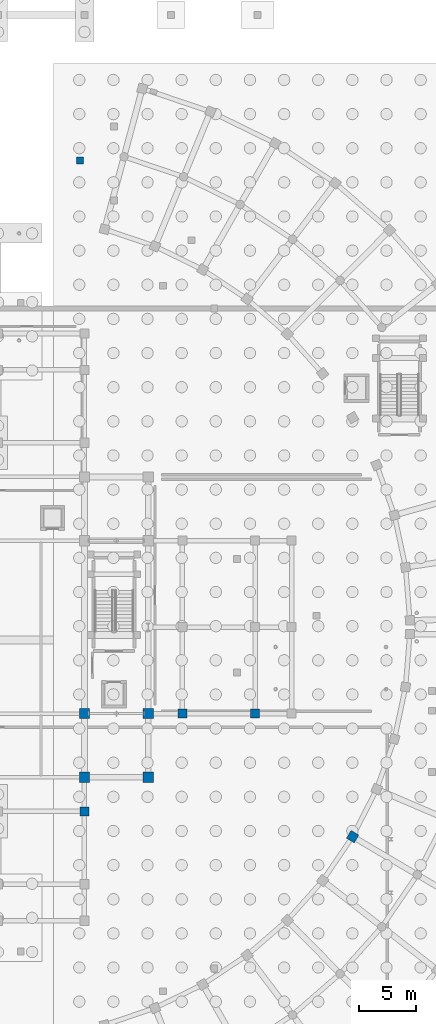
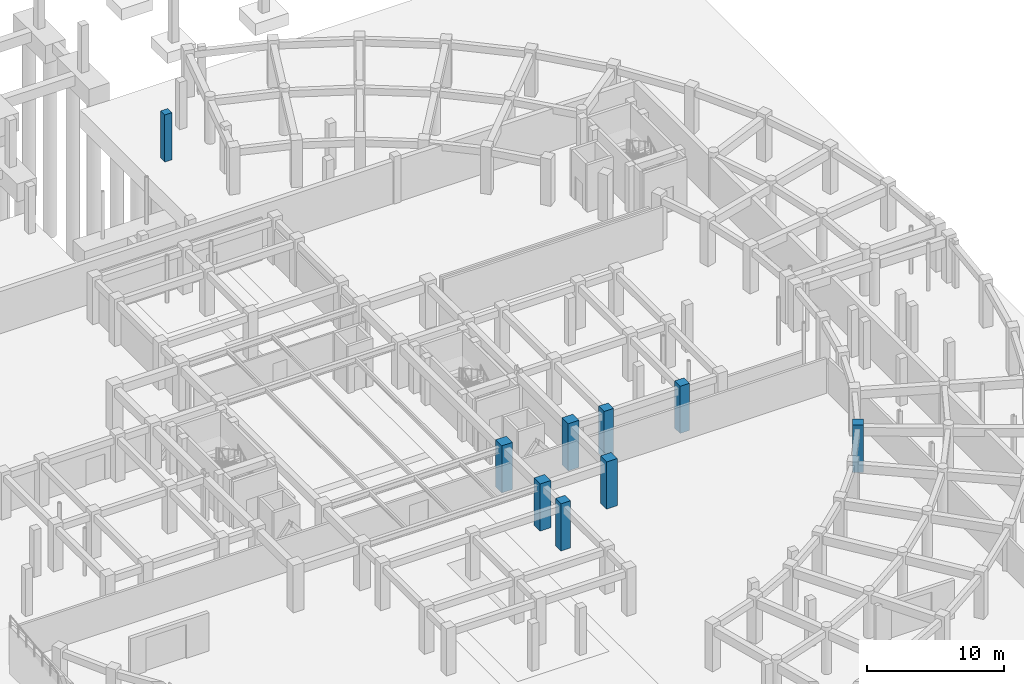
# One storey, part 13 of 33: 9 columns.
"""IFC4 building model written with IfcOpenShell, lengths in metres."""

import ifcopenshell
import ifcopenshell.guid

model = None  # the IFC model being written
_history = None  # IfcOwnerHistory: only IFC2X3 demands one
_inside = {}  # id of a spatial element -> (the spatial element, [elements in it])
_under = {}  # id of a project, library or spatial element -> (it, [spatial elements below it])
_declared = {}  # id of a project -> (the project, [libraries it declares])
_typed = {}  # id of a type object -> (the type object, [elements of that type])
_made_of = {}  # id of a material, layer set ... -> (it, [elements and type objects made of it])


def new_model(schema):
    """Start an empty IFC model of exactly this schema.

    Asked for "IFC4X3", IfcOpenShell would pick the latest addendum, in which some entities
    have other attributes; the version numbers below select the first issue.
    IFC2X3 requires an IfcOwnerHistory on every rooted entity: one is made here for all.
    """
    global model, _history
    if schema == "IFC4X3":
        model = ifcopenshell.file(schema_version=(4, 3, 0, 0))
    else:
        model = ifcopenshell.file(schema=schema)
    _inside.clear()
    _under.clear()
    _declared.clear()
    _typed.clear()
    _made_of.clear()
    _history = None
    if model.schema == "IFC2X3":
        org = make("IfcOrganization", Name="unknown")
        user = make(
            "IfcPersonAndOrganization",
            ThePerson=make("IfcPerson", FamilyName="unknown"),
            TheOrganization=org,
        )
        app = make(
            "IfcApplication",
            ApplicationDeveloper=org,
            Version="unknown",
            ApplicationFullName="unknown",
            ApplicationIdentifier="unknown",
        )
        _history = make(
            "IfcOwnerHistory",
            OwningUser=user,
            OwningApplication=app,
            ChangeAction="ADDED",
            CreationDate=0,
        )
    return model


def make(cls, **values):
    """One entity of the class cls with the attributes given. An attribute that is None is left unset."""
    return model.create_entity(
        cls, **{name: value for name, value in values.items() if value is not None}
    )


def rooted(cls, **values):
    """An entity with a GlobalId (a new one), such as an element, a storey or a relation."""
    return make(cls, GlobalId=ifcopenshell.guid.new(), OwnerHistory=_history, **values)


def si_unit(unit_type, name, prefix=None):
    """IfcSIUnit, for example si_unit("LENGTHUNIT", "METRE", prefix="MILLI")."""
    return make("IfcSIUnit", UnitType=unit_type, Prefix=prefix, Name=name)


def assignment(units):
    """IfcUnitAssignment: the units of a project."""
    return None if units is None else make("IfcUnitAssignment", Units=units)


def point(xyz):
    """IfcCartesianPoint."""
    return None if xyz is None else make("IfcCartesianPoint", Coordinates=xyz)


def direction(xyz):
    """IfcDirection."""
    return None if xyz is None else make("IfcDirection", DirectionRatios=xyz)


def frame(location, z_axis=None, x_axis=None):
    """IfcAxis2Placement3D, a coordinate frame: its origin and axes. An axis left out is left unset."""
    return make(
        "IfcAxis2Placement3D",
        Location=point(location),
        Axis=direction(z_axis),
        RefDirection=direction(x_axis),
    )


def frame_2d(location, x_axis=None):
    """IfcAxis2Placement2D, a coordinate frame in the plane: its origin and x axis."""
    return make(
        "IfcAxis2Placement2D", Location=point(location), RefDirection=direction(x_axis)
    )


def origin():
    """The frame at (0, 0, 0) with its axes left unset."""
    return frame((0.0, 0.0, 0.0))


def origin_2d():
    """The frame at (0, 0) in the plane with its x axis left unset."""
    return frame_2d((0.0, 0.0))


def place(relative_to, where):
    """IfcLocalPlacement: puts the frame where relative to a parent placement (None: the world)."""
    return make(
        "IfcLocalPlacement", PlacementRelTo=relative_to, RelativePlacement=where
    )


def context(
    kind, dimensions, precision=None, world=None, true_north=None, identifier=None
):
    """IfcGeometricRepresentationContext, for example the 3D "Model" context."""
    return make(
        "IfcGeometricRepresentationContext",
        ContextIdentifier=identifier,
        ContextType=kind,
        CoordinateSpaceDimension=dimensions,
        Precision=precision,
        WorldCoordinateSystem=world,
        TrueNorth=true_north,
    )


def subcontext(parent, identifier, kind, view, scale=None):
    """IfcGeometricRepresentationSubContext, for example "Body" below "Model"."""
    return make(
        "IfcGeometricRepresentationSubContext",
        ContextIdentifier=identifier,
        ContextType=kind,
        ParentContext=parent,
        TargetScale=scale,
        TargetView=view,
    )


def project(units=None, contexts=None):
    """IfcProject with its units and contexts."""
    return rooted(
        "IfcProject",
        Name="project",
        RepresentationContexts=contexts,
        UnitsInContext=assignment(units),
    )


def spatial(cls, under=None, at=None, **own):
    """A site, building, storey or space (cls), placed at a placement, below another one or the project."""
    s = rooted(cls, ObjectPlacement=at, **own)
    if under is not None:
        _under.setdefault(under.id(), (under, []))[1].append(s)
    return s


def profile(cls, at=None, kind="AREA", **sizes):
    """A parametric profile (cls). Its sizes go by their IFC names, for example OverallWidth=200.0."""
    return make(cls, ProfileType=kind, Position=at, **sizes)


def rectangle(**sizes):
    """IfcRectangleProfileDef."""
    return profile("IfcRectangleProfileDef", **sizes)


def extrude(swept, where, along, depth):
    """IfcExtrudedAreaSolid: the profile swept, set in the frame where, extruded along a direction by depth."""
    return make(
        "IfcExtrudedAreaSolid",
        SweptArea=swept,
        Position=where,
        ExtrudedDirection=direction(along),
        Depth=depth,
    )


def shape(context_of_items, identifier, shape_type, items):
    """IfcShapeRepresentation: the items that make up one representation, for example the "Body"."""
    return make(
        "IfcShapeRepresentation",
        ContextOfItems=context_of_items,
        RepresentationIdentifier=identifier,
        RepresentationType=shape_type,
        Items=items,
    )


def material(Name=None, Category=None):
    """IfcMaterial."""
    return make("IfcMaterial", Name=Name, Category=Category)


def material_profile(
    of_material, cross_section, Name=None, Category=None, Priority=None
):
    """IfcMaterialProfile: a cross section and its material."""
    return make(
        "IfcMaterialProfile",
        Name=Name,
        Material=of_material,
        Profile=cross_section,
        Priority=Priority,
        Category=Category,
    )


def profile_set(profiles, Name=None, composite=None):
    """IfcMaterialProfileSet."""
    return make(
        "IfcMaterialProfileSet",
        Name=Name,
        MaterialProfiles=profiles,
        CompositeProfile=composite,
    )


def made_of(thing, what):
    """Note that an element or type object is made of a material, layer set ...; save() writes the relation."""
    if what is not None:
        _made_of.setdefault(what.id(), (what, []))[1].append(thing)
    return thing


def type_object(cls, material=None, **own):
    """A type object (cls), such as IfcWallType, which elements share."""
    return made_of(rooted(cls, **own), material)


def element(
    cls,
    number,
    at=None,
    inside=None,
    cuts=None,
    type_object=None,
    material=None,
    context=None,
    identifier="Body",
    shape_type=None,
    held_by="IfcProductDefinitionShape",
    body=None,
    shapes=None,
    **own,
):
    """One element of the class cls, such as IfcWall. Its Tag is "e" and its number.

    at: its placement. inside: the storey or other place that contains it. cuts: it is an
    opening in that element (IfcRelVoidsElement). A single representation is given by context,
    identifier, shape_type and body (its items); several are given by shapes. held_by: the class
    of the entity that holds the representations. save() writes the other relations.
    """
    e = rooted(cls, Tag="e%d" % number, ObjectPlacement=at, **own)
    if body is not None:
        shapes = [shape(context, identifier, shape_type, body)]
    if shapes is not None:
        e.Representation = make(held_by, Representations=shapes)
    if inside is not None:
        _inside.setdefault(inside.id(), (inside, []))[1].append(e)
    if cuts is not None:
        rooted(
            "IfcRelVoidsElement", RelatingBuildingElement=cuts, RelatedOpeningElement=e
        )
    if type_object is not None:
        _typed.setdefault(type_object.id(), (type_object, []))[1].append(e)
    return made_of(e, material)


def aggregate(whole, parts):
    """IfcRelAggregates: a whole, such as a stair, and the parts it consists of."""
    return rooted("IfcRelAggregates", RelatingObject=whole, RelatedObjects=parts)


def save(model, path):
    """Write the relations noted so far, then the file.

    IfcRelAggregates (storeys below a building ...), IfcRelContainedInSpatialStructure (elements
    in a storey), IfcRelDefinesByType, IfcRelAssociatesMaterial and IfcRelDeclares: one each for
    every whole, place, type object, material and project.
    """
    for whole, parts in _under.values():
        aggregate(whole, parts)
    for where, things in _inside.values():
        rooted(
            "IfcRelContainedInSpatialStructure",
            RelatedElements=things,
            RelatingStructure=where,
        )
    for kind, things in _typed.values():
        rooted("IfcRelDefinesByType", RelatedObjects=things, RelatingType=kind)
    for what, things in _made_of.values():
        rooted("IfcRelAssociatesMaterial", RelatedObjects=things, RelatingMaterial=what)
    for by, libraries in _declared.values():
        rooted("IfcRelDeclares", RelatingContext=by, RelatedDefinitions=libraries)
    model.write(path)


model = new_model("IFC4")

# Units and contexts
model_context = context("Model", 3, precision=1e-05, world=origin(), true_north=direction((0.0, 1.0)))
body_context = subcontext(model_context, "Body", "Model", "MODEL_VIEW")
ifc_project = project(units=[si_unit("LENGTHUNIT", "METRE"), si_unit("AREAUNIT", "SQUARE_METRE"), si_unit("VOLUMEUNIT", "CUBIC_METRE"), si_unit("PLANEANGLEUNIT", "RADIAN"), si_unit("MASSUNIT", "GRAM", prefix="KILO")], contexts=[model_context])

# Site, building, storey
site_placement = place(None, origin())
site = spatial("IfcSite", under=ifc_project, at=site_placement, CompositionType="ELEMENT")
building_placement = place(site_placement, origin())
building = spatial("IfcBuilding", under=site, at=building_placement, Name="Saryqyr Civic Hall", CompositionType="ELEMENT")
storey_placement = place(building_placement, frame((0.0, 0.0, -4.199951171875)))
storey = spatial("IfcBuildingStorey", under=building, at=storey_placement, Name="B1", CompositionType="ELEMENT", Elevation=-4.199951171875)

# Columns
ifc_material = material(Name="Concrete C40/50", Category="concrete")
ifc_material_profile_1 = material_profile(ifc_material, rectangle(XDim=0.60009765625, YDim=0.60009765625, at=origin_2d()), Name="RC 600x600")
ifc_profile_set_1 = profile_set([ifc_material_profile_1], Name="Concrete C40/50")
column_type_1 = type_object("IfcColumnType", Name="STR-COL-RC600-C40", PredefinedType="COLUMN", material=ifc_profile_set_1)
column_placement = place(storey_placement, frame((64.199951171875, 125.0, 0.0), z_axis=(0.0, 0.0, 1.0), x_axis=(1.0, 0.0, 0.0)))
element("IfcColumn", 1, at=column_placement, inside=storey, type_object=column_type_1, Name="Column V2-XCOL-30-B1", PredefinedType="COLUMN", context=body_context, shape_type="SweptSolid", body=[
    extrude(rectangle(XDim=0.60009765625, YDim=0.60009765625, at=origin_2d()), origin(), (0.0, 0.0, 1.0), 4.199951171875),
])
ifc_material_profile_2 = material_profile(ifc_material, rectangle(XDim=0.800048828125, YDim=0.800048828125, at=origin_2d()), Name="RC 800x800")
ifc_profile_set_2 = profile_set([ifc_material_profile_2], Name="Concrete C40/50")
column_type_2 = type_object("IfcColumnType", Name="STR-COL-RC800-C40", PredefinedType="COLUMN", material=ifc_profile_set_2)
for number, where, z_axis, x_axis, name in (
    (2, (73.199951171875, 76.39990234375, 0.0), (0.0, 0.0, 1.0), (1.0, 0.0, 0.0), "Column V1-COL-S3P04-B1"),
    (3, (64.60009765625, 67.800048828125, 0.0), (0.0, 0.0, 1.0), (1.0, 0.0, 0.0), "Column V1-COL-S3P09-B1"),
    (4, (79.60009765625, 76.39990234375, 0.0), (0.0, 0.0, 1.0), (1.0, 0.0, 0.0), "Column V1-COL-S1P04-B1"),
    (5, (88.16845703125, 65.589111328125, 0.0), (0.0, 0.0, 1.0), (0.861008442465, -0.508590662521, 0.0), "Column V5-COL-IN06-B1"),
):
    element("IfcColumn", number, at=place(storey_placement, frame(where, z_axis=z_axis, x_axis=x_axis)), inside=storey, type_object=column_type_2, Name=name, PredefinedType="COLUMN", context=body_context, shape_type="SweptSolid", body=[
        extrude(rectangle(XDim=0.800048828125, YDim=0.800048828125, at=origin_2d()), origin(), (0.0, 0.0, 1.0), 4.199951171875),
    ])
ifc_material_profile_3 = material_profile(ifc_material, rectangle(XDim=0.89990234375, YDim=0.89990234375, at=origin_2d()), Name="RC 900x900")
ifc_profile_set_3 = profile_set([ifc_material_profile_3], Name="Concrete C40/50")
column_type_3 = type_object("IfcColumnType", Name="STR-COL-RC900-C40", PredefinedType="COLUMN", material=ifc_profile_set_3)
for number, where, z_axis, x_axis, name in (
    (6, (64.60009765625, 70.800048828125, 0.0), (0.0, 0.0, 1.0), (1.0, 0.0, 0.0), "Column V1-COL-C31-B1"),
    (7, (64.60009765625, 76.39990234375, 0.0), (0.0, 0.0, 1.0), (1.0, 0.0, 0.0), "Column V1-COL-C32-B1"),
    (8, (70.199951171875, 70.800048828125, 0.0), (0.0, 0.0, 1.0), (1.0, 0.0, 0.0), "Column V1-COL-C41-B1"),
    (9, (70.199951171875, 76.39990234375, 0.0), (0.0, 0.0, 1.0), (1.0, 0.0, 0.0), "Column V1-COL-C42-B1"),
):
    element("IfcColumn", number, at=place(storey_placement, frame(where, z_axis=z_axis, x_axis=x_axis)), inside=storey, type_object=column_type_3, Name=name, PredefinedType="COLUMN", context=body_context, shape_type="SweptSolid", body=[
        extrude(rectangle(XDim=0.89990234375, YDim=0.89990234375, at=origin_2d()), origin(), (0.0, 0.0, 1.0), 4.199951171875),
    ])

save(model, "model.ifc")
